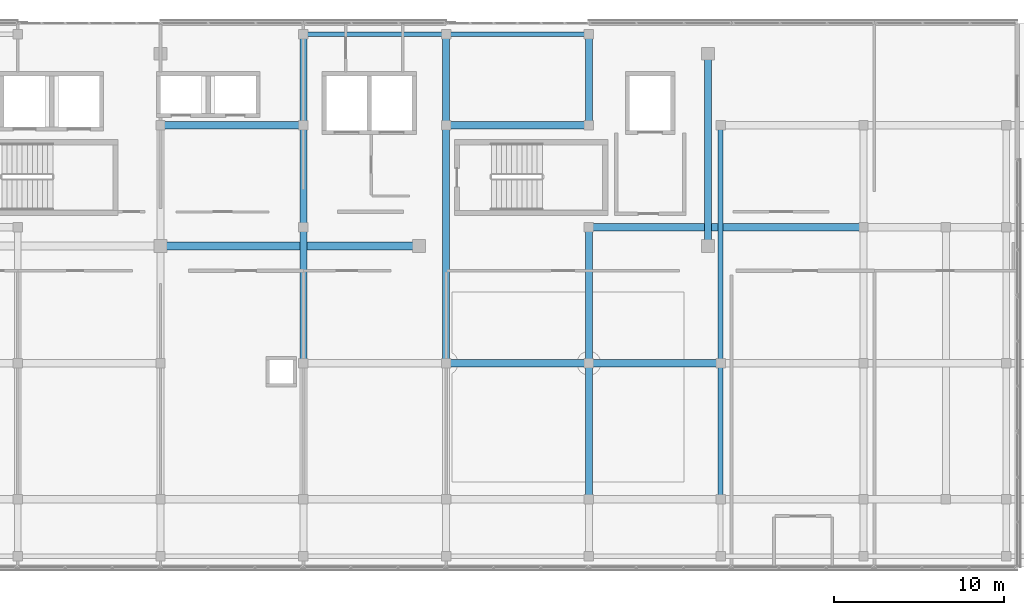
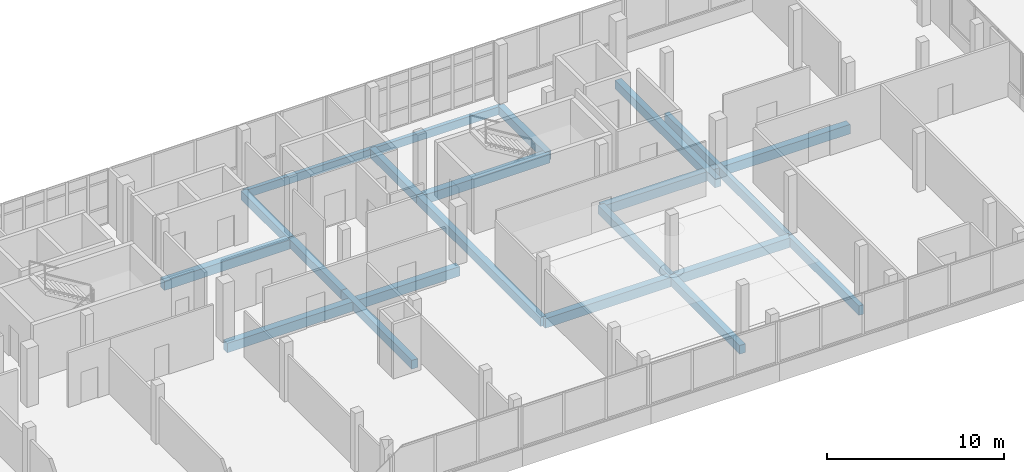
# One storey, part 32 of 66: 19 beams.
"""IFC4 building model written with IfcOpenShell, lengths in metres."""

from ifc_helpers import new_model, si_unit, direction, frame, origin, origin_2d, place, context, subcontext, project, spatial, rectangle, extrude, material, material_profile, profile_set, type_object, element, save


model = new_model("IFC4")

# Units and contexts
model_context = context("Model", 3, precision=1e-05, world=origin(), true_north=direction((0.0, 1.0)))
body_context = subcontext(model_context, "Body", "Model", "MODEL_VIEW")
ifc_project = project(units=[si_unit("LENGTHUNIT", "METRE"), si_unit("AREAUNIT", "SQUARE_METRE"), si_unit("VOLUMEUNIT", "CUBIC_METRE"), si_unit("PLANEANGLEUNIT", "RADIAN"), si_unit("MASSUNIT", "GRAM", prefix="KILO")], contexts=[model_context])

# Site, building, storey
site_placement = place(None, origin())
site = spatial("IfcSite", under=ifc_project, at=site_placement, CompositionType="ELEMENT")
building_placement = place(site_placement, origin())
building = spatial("IfcBuilding", under=site, at=building_placement, Name="Selatvlak General Hospital", CompositionType="ELEMENT")
storey_placement = place(building_placement, frame((0.0, 0.0, 31.35009765625)))
storey = spatial("IfcBuildingStorey", under=building, at=storey_placement, Name="L07", CompositionType="ELEMENT", Elevation=31.35009765625)

# Beams
ifc_material = material(Name="Concrete C40/50", Category="concrete")
ifc_material_profile_1 = material_profile(ifc_material, rectangle(XDim=0.449951171875, YDim=0.64990234375, at=origin_2d()), Name="RC-BM 450x650")
ifc_profile_set_1 = profile_set([ifc_material_profile_1], Name="Concrete C40/50")
beam_type_1 = type_object("IfcBeamType", Name="BM-G04", PredefinedType="BEAM", material=ifc_profile_set_1)
beam_1_placement = place(storey_placement, frame((132.0, 100.0, -0.59521484375), z_axis=(1.0, 0.0, 0.0), x_axis=(0.0, 1.0, 0.0)))
element("IfcBeam", 1, at=beam_1_placement, inside=storey, type_object=beam_type_1, Name="Beam BMR-L07-2414", PredefinedType="BEAM", context=body_context, shape_type="SweptSolid", body=[
    extrude(rectangle(XDim=0.449951171875, YDim=0.64990234375, at=origin_2d()), origin(), (0.0, 0.0, 1.0), 8.39990234375),
])
beam_2_placement = place(storey_placement, frame((140.39990234375, 100.0, -0.59521484375), z_axis=(1.0, 0.0, 0.0), x_axis=(0.0, 1.0, 0.0)))
element("IfcBeam", 2, at=beam_2_placement, inside=storey, type_object=beam_type_1, Name="Beam BMR-L07-2415", PredefinedType="BEAM", context=body_context, shape_type="SweptSolid", body=[
    extrude(rectangle(XDim=0.449951171875, YDim=0.64990234375, at=origin_2d()), origin(), (0.0, 0.0, 1.0), 7.75),
])
beam_3_placement = place(storey_placement, frame((115.199951171875, 106.89990234375, -0.59521484375), z_axis=(1.0, 0.0, 0.0), x_axis=(0.0, 1.0, 0.0)))
element("IfcBeam", 3, at=beam_3_placement, inside=storey, type_object=beam_type_1, Name="Beam BMR-L07-2424", PredefinedType="BEAM", context=body_context, shape_type="SweptSolid", body=[
    extrude(rectangle(XDim=0.449951171875, YDim=0.64990234375, at=origin_2d()), origin(), (0.0, 0.0, 1.0), 15.199951171875),
])
beam_4_placement = place(storey_placement, frame((140.39990234375, 108.0, -0.59521484375), z_axis=(1.0, 0.0, 0.0), x_axis=(0.0, 1.0, 0.0)))
element("IfcBeam", 4, at=beam_4_placement, inside=storey, type_object=beam_type_1, Name="Beam BMR-L07-2432", PredefinedType="BEAM", context=body_context, shape_type="SweptSolid", body=[
    extrude(rectangle(XDim=0.449951171875, YDim=0.64990234375, at=origin_2d()), origin(), (0.0, 0.0, 1.0), 16.150146484375),
])
beam_5_placement = place(storey_placement, frame((115.199951171875, 114.0, -0.59521484375), z_axis=(1.0, 0.0, 0.0), x_axis=(0.0, 1.0, 0.0)))
element("IfcBeam", 5, at=beam_5_placement, inside=storey, type_object=beam_type_1, Name="Beam BMR-L07-2443", PredefinedType="BEAM", context=body_context, shape_type="SweptSolid", body=[
    extrude(rectangle(XDim=0.449951171875, YDim=0.64990234375, at=origin_2d()), origin(), (0.0, 0.0, 1.0), 8.400146484375),
])
beam_6_placement = place(storey_placement, frame((132.0, 114.0, -0.59521484375), z_axis=(1.0, 0.0, 0.0), x_axis=(0.0, 1.0, 0.0)))
element("IfcBeam", 6, at=beam_6_placement, inside=storey, type_object=beam_type_1, Name="Beam BMR-L07-2444", PredefinedType="BEAM", context=body_context, shape_type="SweptSolid", body=[
    extrude(rectangle(XDim=0.449951171875, YDim=0.64990234375, at=origin_2d()), origin(), (0.0, 0.0, 1.0), 8.39990234375),
])
ifc_material_profile_2 = material_profile(ifc_material, rectangle(XDim=0.39990234375, YDim=0.60009765625, at=origin_2d()), Name="RC-BM 400x600")
ifc_profile_set_2 = profile_set([ifc_material_profile_2], Name="Concrete C40/50")
beam_type_2 = type_object("IfcBeamType", Name="BM-G05", PredefinedType="BEAM", material=ifc_profile_set_2)
beam_7_placement = place(storey_placement, frame((123.60009765625, 100.0, -0.570068359375), z_axis=(0.0, 1.0, 0.0), x_axis=(-1.0, 0.0, 0.0)))
element("IfcBeam", 7, at=beam_7_placement, inside=storey, type_object=beam_type_2, Name="Beam BMR-L07-2516", PredefinedType="BEAM", context=body_context, shape_type="SweptSolid", body=[
    extrude(rectangle(XDim=0.39990234375, YDim=0.60009765625, at=origin_2d()), origin(), (0.0, 0.0, 1.0), 8.0),
])
beam_8_placement = place(storey_placement, frame((123.60009765625, 108.0, -0.570068359375), z_axis=(0.0, 1.0, 0.0), x_axis=(-1.0, 0.0, 0.0)))
element("IfcBeam", 8, at=beam_8_placement, inside=storey, type_object=beam_type_2, Name="Beam BMR-L07-2517", PredefinedType="BEAM", context=body_context, shape_type="SweptSolid", body=[
    extrude(rectangle(XDim=0.39990234375, YDim=0.60009765625, at=origin_2d()), origin(), (0.0, 0.0, 1.0), 6.0),
])
beam_9_placement = place(storey_placement, frame((123.60009765625, 114.0, -0.570068359375), z_axis=(0.0, 1.0, 0.0), x_axis=(-1.0, 0.0, 0.0)))
element("IfcBeam", 9, at=beam_9_placement, inside=storey, type_object=beam_type_2, Name="Beam BMR-L07-2518", PredefinedType="BEAM", context=body_context, shape_type="SweptSolid", body=[
    extrude(rectangle(XDim=0.39990234375, YDim=0.60009765625, at=origin_2d()), origin(), (0.0, 0.0, 1.0), 5.35009765625),
])
beam_10_placement = place(storey_placement, frame((132.0, 100.0, -0.570068359375), z_axis=(0.0, 1.0, 0.0), x_axis=(-1.0, 0.0, 0.0)))
element("IfcBeam", 10, at=beam_10_placement, inside=storey, type_object=beam_type_2, Name="Beam BMR-L07-2521", PredefinedType="BEAM", context=body_context, shape_type="SweptSolid", body=[
    extrude(rectangle(XDim=0.39990234375, YDim=0.60009765625, at=origin_2d()), origin(), (0.0, 0.0, 1.0), 14.0),
])
beam_11_placement = place(storey_placement, frame((132.0, 114.0, -0.570068359375), z_axis=(0.0, 1.0, 0.0), x_axis=(-1.0, 0.0, 0.0)))
element("IfcBeam", 11, at=beam_11_placement, inside=storey, type_object=beam_type_2, Name="Beam BMR-L07-2522", PredefinedType="BEAM", context=body_context, shape_type="SweptSolid", body=[
    extrude(rectangle(XDim=0.39990234375, YDim=0.60009765625, at=origin_2d()), origin(), (0.0, 0.0, 1.0), 5.35009765625),
])
for number, where, z_axis, x_axis, name in (
    (12, (140.39990234375, 92.0, -0.570068359375), (0.0, 1.0, 0.0), (-1.0, 0.0, 0.0), "Beam BMR-L07-2524"),
    (13, (140.39990234375, 100.0, -0.570068359375), (0.0, 1.0, 0.0), (-1.0, 0.0, 0.0), "Beam BMR-L07-2525"),
):
    element("IfcBeam", number, at=place(storey_placement, frame(where, z_axis=z_axis, x_axis=x_axis)), inside=storey, type_object=beam_type_2, Name=name, PredefinedType="BEAM", context=body_context, shape_type="SweptSolid", body=[
        extrude(rectangle(XDim=0.39990234375, YDim=0.60009765625, at=origin_2d()), origin(), (0.0, 0.0, 1.0), 8.0),
    ])
beam_12_placement = place(storey_placement, frame((140.39990234375, 114.0, -0.570068359375), z_axis=(0.0, 1.0, 0.0), x_axis=(-1.0, 0.0, 0.0)))
element("IfcBeam", 14, at=beam_12_placement, inside=storey, type_object=beam_type_2, Name="Beam BMR-L07-2526", PredefinedType="BEAM", context=body_context, shape_type="SweptSolid", body=[
    extrude(rectangle(XDim=0.39990234375, YDim=0.60009765625, at=origin_2d()), origin(), (0.0, 0.0, 1.0), 5.35009765625),
])
beam_13_placement = place(storey_placement, frame((147.39990234375, 106.89990234375, -0.570068359375), z_axis=(0.0, 1.0, 0.0), x_axis=(-1.0, 0.0, 0.0)))
element("IfcBeam", 15, at=beam_13_placement, inside=storey, type_object=beam_type_2, Name="Beam BMR-L07-2527", PredefinedType="BEAM", context=body_context, shape_type="SweptSolid", body=[
    extrude(rectangle(XDim=0.39990234375, YDim=0.60009765625, at=origin_2d()), origin(), (0.0, 0.0, 1.0), 11.300048828125),
])
ifc_material_profile_3 = material_profile(ifc_material, rectangle(XDim=0.300048828125, YDim=0.64990234375, at=origin_2d()), Name="RC-SP 300x650")
ifc_profile_set_3 = profile_set([ifc_material_profile_3], Name="Concrete C40/50")
beam_type_3 = type_object("IfcBeamType", Name="BM-SP1", PredefinedType="SPANDREL", material=ifc_profile_set_3)
beam_14_placement = place(storey_placement, frame((148.14990234375, 92.0, -0.59521484375), z_axis=(0.0, 1.0, 0.0), x_axis=(-1.0, 0.0, 0.0)))
element("IfcBeam", 16, at=beam_14_placement, inside=storey, type_object=beam_type_3, Name="Beam BMR-L07-2529", PredefinedType="SPANDREL", context=body_context, shape_type="SweptSolid", body=[
    extrude(rectangle(XDim=0.300048828125, YDim=0.64990234375, at=origin_2d()), origin(), (0.0, 0.0, 1.0), 8.0),
])
beam_15_placement = place(storey_placement, frame((148.14990234375, 100.0, -0.59521484375), z_axis=(0.0, 1.0, 0.0), x_axis=(-1.0, 0.0, 0.0)))
element("IfcBeam", 17, at=beam_15_placement, inside=storey, type_object=beam_type_3, Name="Beam BMR-L07-2530", PredefinedType="SPANDREL", context=body_context, shape_type="SweptSolid", body=[
    extrude(rectangle(XDim=0.300048828125, YDim=0.64990234375, at=origin_2d()), origin(), (0.0, 0.0, 1.0), 14.0),
])
ifc_material_profile_4 = material_profile(ifc_material, rectangle(XDim=0.25, YDim=0.550048828125, at=origin_2d()), Name="RC-SP 250x550")
ifc_profile_set_4 = profile_set([ifc_material_profile_4], Name="Concrete C40/50")
beam_type_4 = type_object("IfcBeamType", Name="BM-SP2", PredefinedType="SPANDREL", material=ifc_profile_set_4)
for number, where, z_axis, x_axis, name in (
    (18, (123.60009765625, 119.35009765625, -0.545166015625), (1.0, 0.0, 0.0), (0.0, 1.0, 0.0), "Beam BMR-L07-2457"),
    (19, (132.0, 119.35009765625, -0.545166015625), (1.0, 0.0, 0.0), (0.0, 1.0, 0.0), "Beam BMR-L07-2458"),
):
    element("IfcBeam", number, at=place(storey_placement, frame(where, z_axis=z_axis, x_axis=x_axis)), inside=storey, type_object=beam_type_4, Name=name, PredefinedType="SPANDREL", context=body_context, shape_type="SweptSolid", body=[
        extrude(rectangle(XDim=0.25, YDim=0.550048828125, at=origin_2d()), origin(), (0.0, 0.0, 1.0), 8.39990234375),
    ])

save(model, "model.ifc")
